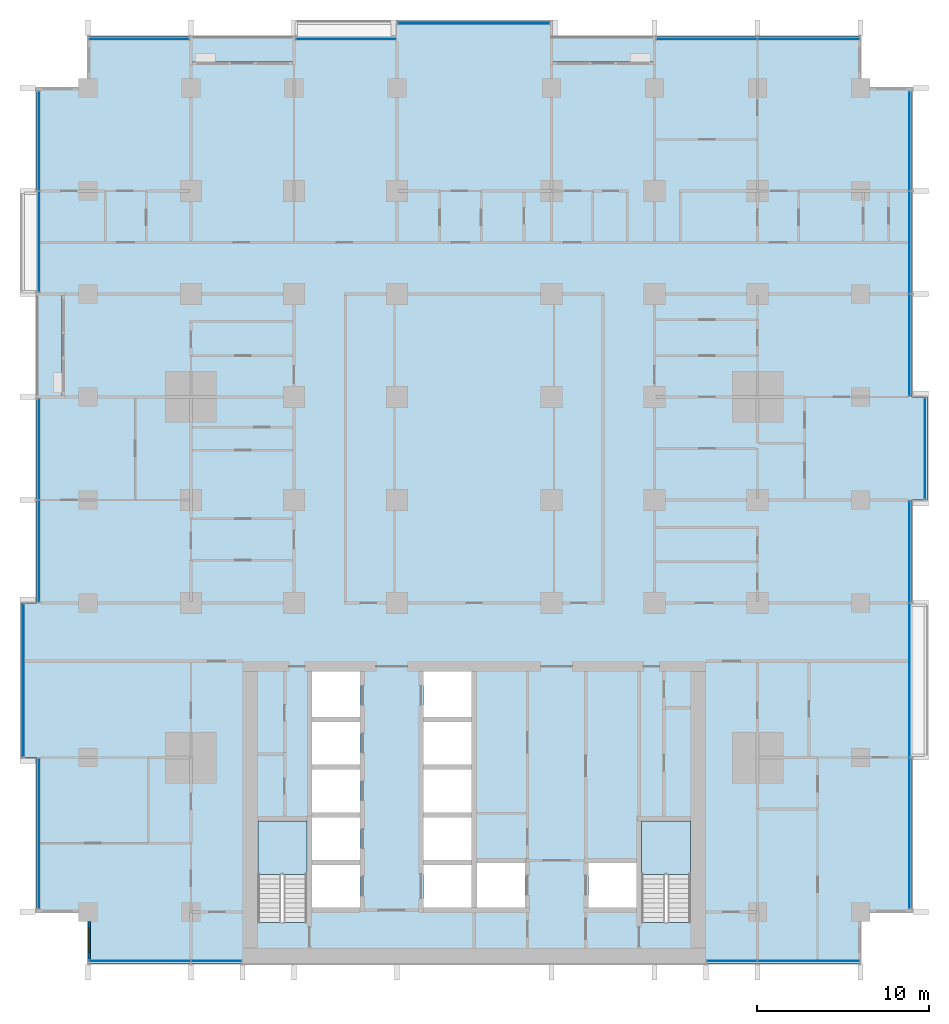
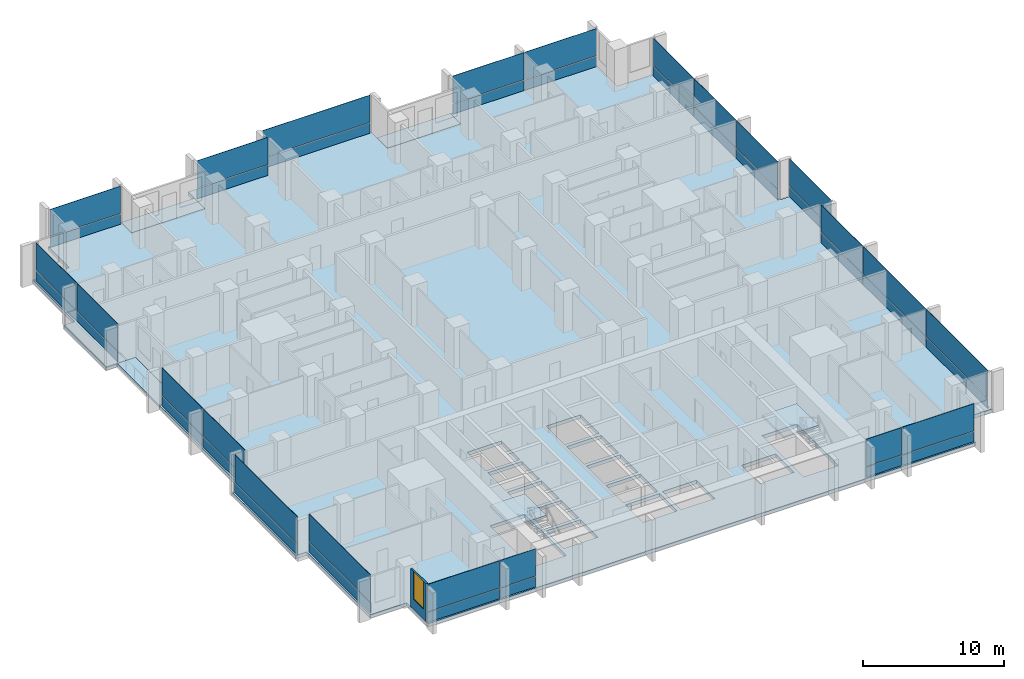
# One storey, part 6 of 18: 44 plates, 6 slabs, 1 wall, 1 window, 1 opening, 15 elements without a shape of their own.
"""IFC4 building model written with IfcOpenShell, lengths in metres."""

from ifc_helpers import new_model, si_unit, direction, frame, frame_2d, origin, origin_2d, place, context, subcontext, project, spatial, polyline, rectangle, outline, extrude, material, layer, layer_set, type_object, element, fill, aggregate, save


model = new_model("IFC4")

# Units and contexts
model_context = context("Model", 3, precision=1e-05, world=origin(), true_north=direction((0.0, 1.0)))
body_context = subcontext(model_context, "Body", "Model", "MODEL_VIEW")
ifc_project = project(units=[si_unit("LENGTHUNIT", "METRE"), si_unit("AREAUNIT", "SQUARE_METRE"), si_unit("VOLUMEUNIT", "CUBIC_METRE"), si_unit("PLANEANGLEUNIT", "RADIAN"), si_unit("MASSUNIT", "GRAM", prefix="KILO")], contexts=[model_context])

# Site, building, storey
site_placement = place(None, origin())
site = spatial("IfcSite", under=ifc_project, at=site_placement, CompositionType="ELEMENT")
building_placement = place(site_placement, origin())
building = spatial("IfcBuilding", under=site, at=building_placement, Name="Finial Court Residences", CompositionType="ELEMENT")
storey_placement = place(building_placement, frame((0.0, 0.0, 39.699951171875)))
storey = spatial("IfcBuildingStorey", under=building, at=storey_placement, Name="L08", CompositionType="ELEMENT", Elevation=39.699951171875)

# Slabs
ifc_material_1 = material(Name="Concrete C35/45", Category="concrete")
ifc_layer_1 = layer(ifc_material_1, 0.199951171875)
ifc_layer_set_1 = layer_set([ifc_layer_1], Name="Balcony slab, Concrete C35/45 200")
slab_type_1 = type_object("IfcSlabType", Name="Balcony slab, Concrete C35/45 200", PredefinedType="FLOOR", material=ifc_layer_set_1)
slab_1_placement = place(storey_placement, frame((0.0, 0.0, -0.199951171875)))
element("IfcSlab", 1, at=slab_1_placement, inside=storey, type_object=slab_type_1, Name="Balcony L08-N2", PredefinedType="FLOOR", context=body_context, shape_type="SweptSolid", body=[
    extrude(outline(polyline([(-10.5, 27.0), (-10.5, 28.5), (-16.5, 28.5), (-16.5, 27.0), (-10.5, 27.0)])), origin(), (0.0, 0.0, 1.0), 0.199951171875),
])
slab_2_placement = place(storey_placement, frame((0.0, 0.0, -0.199951171875)))
element("IfcSlab", 2, at=slab_2_placement, inside=storey, type_object=slab_type_1, Name="Balcony L08-N5", PredefinedType="FLOOR", context=body_context, shape_type="SweptSolid", body=[
    extrude(outline(polyline([(10.5, 27.0), (10.5, 28.5), (4.5, 28.5), (4.5, 27.0), (10.5, 27.0)])), origin(), (0.0, 0.0, 1.0), 0.199951171875),
])
slab_3_placement = place(storey_placement, frame((0.0, 0.0, -0.199951171875)))
element("IfcSlab", 3, at=slab_3_placement, inside=storey, type_object=slab_type_1, Name="Balcony L08-W5", PredefinedType="FLOOR", context=body_context, shape_type="SweptSolid", body=[
    extrude(outline(polyline([(-24.0, 7.5), (-24.0, 13.5), (-25.5, 13.5), (-25.5, 7.5), (-24.0, 7.5)])), origin(), (0.0, 0.0, 1.0), 0.199951171875),
])

# Curtain wall, plate
ifc_material_2 = material(Name="Bronze anodised aluminium", Category="aluminium")
curtain_wall_type = type_object("IfcCurtainWallType", Name="Unitised curtain wall, lower and middle zones", PredefinedType="NOTDEFINED", material=ifc_material_2)
curtain_wall_1_placement = place(storey_placement, origin())
curtain_wall_1 = element("IfcCurtainWall", 4, at=curtain_wall_1_placement, inside=storey, type_object=curtain_wall_type, Name="E-L08-CW-N1", PredefinedType="NOTDEFINED")
ifc_layer_2 = layer(ifc_material_2, 0.0400390625)
ifc_layer_set_2 = layer_set([ifc_layer_2], Name="CW1 spandrel panel 40")
plate_type_1 = type_object("IfcPlateType", Name="CW1 spandrel panel 40", PredefinedType="CURTAIN_PANEL", material=ifc_layer_set_2)
plate_1_placement = place(storey_placement, frame((-19.53759765625, 28.35009765625, 0.0), z_axis=(0.0, 0.0, 1.0), x_axis=(1.0, 0.0, 0.0)))
plate_1 = element("IfcPlate", 5, at=plate_1_placement, type_object=plate_type_1, Name="CW1 spandrel 1.1", PredefinedType="CURTAIN_PANEL", context=body_context, shape_type="SweptSolid", body=[
    extrude(rectangle(XDim=5.794921875, YDim=0.0400390625, at=origin_2d()), origin(), (0.0, 0.0, 1.0), 0.867431640625),
])

curtain_wall_2_placement = place(storey_placement, origin())
curtain_wall_2 = element("IfcCurtainWall", 6, at=curtain_wall_2_placement, inside=storey, type_object=curtain_wall_type, Name="E-L08-CW-N2", PredefinedType="NOTDEFINED")
plate_2_placement = place(storey_placement, frame((-7.46240234375, 28.35009765625, 0.0), z_axis=(0.0, 0.0, 1.0), x_axis=(1.0, 0.0, 0.0)))
plate_2 = element("IfcPlate", 7, at=plate_2_placement, type_object=plate_type_1, Name="CW1 spandrel 1.1", PredefinedType="CURTAIN_PANEL", context=body_context, shape_type="SweptSolid", body=[
    extrude(rectangle(XDim=5.794921875, YDim=0.0400390625, at=origin_2d()), origin(), (0.0, 0.0, 1.0), 0.867431640625),
])

curtain_wall_3_placement = place(storey_placement, origin())
curtain_wall_3 = element("IfcCurtainWall", 8, at=curtain_wall_3_placement, inside=storey, type_object=curtain_wall_type, Name="E-L08-CW-N3", PredefinedType="NOTDEFINED")
plate_3_placement = place(storey_placement, frame((-0.03759765625, 29.25, 0.0), z_axis=(0.0, 0.0, 1.0), x_axis=(1.0, 0.0, 0.0)))
plate_3 = element("IfcPlate", 9, at=plate_3_placement, type_object=plate_type_1, Name="CW1 spandrel 1.1", PredefinedType="CURTAIN_PANEL", context=body_context, shape_type="SweptSolid", body=[
    extrude(rectangle(XDim=8.794921875, YDim=0.0400390625, at=origin_2d()), origin(), (0.0, 0.0, 1.0), 0.867431640625),
])

# Curtain wall, plates
curtain_wall_4_placement = place(storey_placement, origin())
curtain_wall_4 = element("IfcCurtainWall", 10, at=curtain_wall_4_placement, inside=storey, type_object=curtain_wall_type, Name="E-L08-CW-N4", PredefinedType="NOTDEFINED")
plate_4_placement = place(storey_placement, frame((13.5537109375, 28.35009765625, 0.0), z_axis=(0.0, 0.0, 1.0), x_axis=(1.0, 0.0, 0.0)))
plate_4 = element("IfcPlate", 11, at=plate_4_placement, type_object=plate_type_1, Name="CW1 spandrel 1.1", PredefinedType="CURTAIN_PANEL", context=body_context, shape_type="SweptSolid", body=[
    extrude(rectangle(XDim=5.827392578125, YDim=0.0400390625, at=origin_2d()), origin(), (0.0, 0.0, 1.0), 0.867431640625),
])
plate_5_placement = place(storey_placement, frame((19.48388671875, 28.35009765625, 0.0), z_axis=(0.0, 0.0, 1.0), x_axis=(1.0, 0.0, 0.0)))
plate_5 = element("IfcPlate", 12, at=plate_5_placement, type_object=plate_type_1, Name="CW1 spandrel 2.1", PredefinedType="CURTAIN_PANEL", context=body_context, shape_type="SweptSolid", body=[
    extrude(rectangle(XDim=5.902587890625, YDim=0.0400390625, at=origin_2d()), origin(), (0.0, 0.0, 1.0), 0.867431640625),
])

curtain_wall_5_placement = place(storey_placement, origin())
curtain_wall_5 = element("IfcCurtainWall", 13, at=curtain_wall_5_placement, inside=storey, type_object=curtain_wall_type, Name="E-L08-CW-E5", PredefinedType="NOTDEFINED")
plate_6_placement = place(storey_placement, frame((25.35009765625, -17.90869140625, 0.0), z_axis=(0.0, 0.0, 1.0), x_axis=(0.0, 1.0, 0.0)))
plate_6 = element("IfcPlate", 14, at=plate_6_placement, type_object=plate_type_1, Name="CW1 spandrel 1.1", PredefinedType="CURTAIN_PANEL", context=body_context, shape_type="SweptSolid", body=[
    extrude(rectangle(XDim=8.75244140625, YDim=0.0400390625, at=origin_2d()), origin(), (0.0, 0.0, 1.0), 0.867431640625),
])
plate_7_placement = place(storey_placement, frame((25.35009765625, -9.0, 0.0), z_axis=(0.0, 0.0, 1.0), x_axis=(0.0, 1.0, 0.0)))
plate_7 = element("IfcPlate", 15, at=plate_7_placement, type_object=plate_type_1, Name="CW1 spandrel 2.1", PredefinedType="CURTAIN_PANEL", context=body_context, shape_type="SweptSolid", body=[
    extrude(rectangle(XDim=8.93505859375, YDim=0.0400390625, at=origin_2d()), origin(), (0.0, 0.0, 1.0), 0.867431640625),
])
plate_8_placement = place(storey_placement, frame((25.35009765625, -1.516357421875, 0.0), z_axis=(0.0, 0.0, 1.0), x_axis=(0.0, 1.0, 0.0)))
plate_8 = element("IfcPlate", 16, at=plate_8_placement, type_object=plate_type_1, Name="CW1 spandrel 3.1", PredefinedType="CURTAIN_PANEL", context=body_context, shape_type="SweptSolid", body=[
    extrude(rectangle(XDim=5.902587890625, YDim=0.0400390625, at=origin_2d()), origin(), (0.0, 0.0, 1.0), 0.867431640625),
])

# Curtain wall, plate
curtain_wall_6_placement = place(storey_placement, origin())
curtain_wall_6 = element("IfcCurtainWall", 17, at=curtain_wall_6_placement, inside=storey, type_object=curtain_wall_type, Name="E-L08-CW-E6", PredefinedType="NOTDEFINED")
plate_9_placement = place(storey_placement, frame((26.25, 4.5, 0.0), z_axis=(0.0, 0.0, 1.0), x_axis=(0.0, 1.0, 0.0)))
plate_9 = element("IfcPlate", 18, at=plate_9_placement, type_object=plate_type_1, Name="CW1 spandrel 1.1", PredefinedType="CURTAIN_PANEL", context=body_context, shape_type="SweptSolid", body=[
    extrude(rectangle(XDim=5.8701171875, YDim=0.0400390625, at=origin_2d()), origin(), (0.0, 0.0, 1.0), 0.867431640625),
])

# Curtain wall, plates
curtain_wall_7_placement = place(storey_placement, origin())
curtain_wall_7 = element("IfcCurtainWall", 19, at=curtain_wall_7_placement, inside=storey, type_object=curtain_wall_type, Name="E-L08-CW-E7", PredefinedType="NOTDEFINED")
plate_10_placement = place(storey_placement, frame((25.35009765625, 10.51611328125, 0.0), z_axis=(0.0, 0.0, 1.0), x_axis=(0.0, 1.0, 0.0)))
plate_10 = element("IfcPlate", 20, at=plate_10_placement, type_object=plate_type_1, Name="CW1 spandrel 1.1", PredefinedType="CURTAIN_PANEL", context=body_context, shape_type="SweptSolid", body=[
    extrude(rectangle(XDim=5.902587890625, YDim=0.0400390625, at=origin_2d()), origin(), (0.0, 0.0, 1.0), 0.867431640625),
])
plate_11_placement = place(storey_placement, frame((25.35009765625, 16.5, 0.0), z_axis=(0.0, 0.0, 1.0), x_axis=(0.0, 1.0, 0.0)))
plate_11 = element("IfcPlate", 21, at=plate_11_placement, type_object=plate_type_1, Name="CW1 spandrel 2.1", PredefinedType="CURTAIN_PANEL", context=body_context, shape_type="SweptSolid", body=[
    extrude(rectangle(XDim=5.93505859375, YDim=0.0400390625, at=origin_2d()), origin(), (0.0, 0.0, 1.0), 0.867431640625),
])
plate_12_placement = place(storey_placement, frame((25.35009765625, 22.40869140625, 0.0), z_axis=(0.0, 0.0, 1.0), x_axis=(0.0, 1.0, 0.0)))
plate_12 = element("IfcPlate", 22, at=plate_12_placement, type_object=plate_type_1, Name="CW1 spandrel 3.1", PredefinedType="CURTAIN_PANEL", context=body_context, shape_type="SweptSolid", body=[
    extrude(rectangle(XDim=5.75244140625, YDim=0.0400390625, at=origin_2d()), origin(), (0.0, 0.0, 1.0), 0.867431640625),
])

curtain_wall_8_placement = place(storey_placement, origin())
curtain_wall_8 = element("IfcCurtainWall", 23, at=curtain_wall_8_placement, inside=storey, type_object=curtain_wall_type, Name="E-L08-CW-S8", PredefinedType="NOTDEFINED")
plate_13_placement = place(storey_placement, frame((-19.48388671875, -25.35009765625, 0.0), z_axis=(0.0, 0.0, 1.0), x_axis=(1.0, 0.0, 0.0)))
plate_13 = element("IfcPlate", 24, at=plate_13_placement, type_object=plate_type_1, Name="CW1 spandrel 1.1", PredefinedType="CURTAIN_PANEL", context=body_context, shape_type="SweptSolid", body=[
    extrude(rectangle(XDim=5.902587890625, YDim=0.0400390625, at=origin_2d()), origin(), (0.0, 0.0, 1.0), 0.867431640625),
])
plate_14_placement = place(storey_placement, frame((-15.016357421875, -25.35009765625, 0.0), z_axis=(0.0, 0.0, 1.0), x_axis=(1.0, 0.0, 0.0)))
plate_14 = element("IfcPlate", 25, at=plate_14_placement, type_object=plate_type_1, Name="CW1 spandrel 2.1", PredefinedType="CURTAIN_PANEL", context=body_context, shape_type="SweptSolid", body=[
    extrude(rectangle(XDim=2.902587890625, YDim=0.0400390625, at=origin_2d()), origin(), (0.0, 0.0, 1.0), 0.867431640625),
])

curtain_wall_9_placement = place(storey_placement, origin())
curtain_wall_9 = element("IfcCurtainWall", 26, at=curtain_wall_9_placement, inside=storey, type_object=curtain_wall_type, Name="E-L08-CW-S9", PredefinedType="NOTDEFINED")
plate_15_placement = place(storey_placement, frame((15.016357421875, -25.35009765625, 0.0), z_axis=(0.0, 0.0, 1.0), x_axis=(1.0, 0.0, 0.0)))
plate_15 = element("IfcPlate", 27, at=plate_15_placement, type_object=plate_type_1, Name="CW1 spandrel 1.1", PredefinedType="CURTAIN_PANEL", context=body_context, shape_type="SweptSolid", body=[
    extrude(rectangle(XDim=2.902587890625, YDim=0.0400390625, at=origin_2d()), origin(), (0.0, 0.0, 1.0), 0.867431640625),
])
plate_16_placement = place(storey_placement, frame((19.48388671875, -25.35009765625, 0.0), z_axis=(0.0, 0.0, 1.0), x_axis=(1.0, 0.0, 0.0)))
plate_16 = element("IfcPlate", 28, at=plate_16_placement, type_object=plate_type_1, Name="CW1 spandrel 2.1", PredefinedType="CURTAIN_PANEL", context=body_context, shape_type="SweptSolid", body=[
    extrude(rectangle(XDim=5.902587890625, YDim=0.0400390625, at=origin_2d()), origin(), (0.0, 0.0, 1.0), 0.867431640625),
])

# Curtain wall, plate
curtain_wall_10_placement = place(storey_placement, origin())
curtain_wall_10 = element("IfcCurtainWall", 29, at=curtain_wall_10_placement, inside=storey, type_object=curtain_wall_type, Name="E-L08-CW-W10", PredefinedType="NOTDEFINED")
plate_17_placement = place(storey_placement, frame((-25.35009765625, -17.925048828125, 0.0), z_axis=(0.0, 0.0, 1.0), x_axis=(0.0, 1.0, 0.0)))
plate_17 = element("IfcPlate", 30, at=plate_17_placement, type_object=plate_type_1, Name="CW1 spandrel 1.1", PredefinedType="CURTAIN_PANEL", context=body_context, shape_type="SweptSolid", body=[
    extrude(rectangle(XDim=8.719970703125, YDim=0.0400390625, at=origin_2d()), origin(), (0.0, 0.0, 1.0), 0.867431640625),
])

curtain_wall_11_placement = place(storey_placement, origin())
curtain_wall_11 = element("IfcCurtainWall", 31, at=curtain_wall_11_placement, inside=storey, type_object=curtain_wall_type, Name="E-L08-CW-W11", PredefinedType="NOTDEFINED")
plate_18_placement = place(storey_placement, frame((-26.25, -9.0, 0.0), z_axis=(0.0, 0.0, 1.0), x_axis=(0.0, 1.0, 0.0)))
plate_18 = element("IfcPlate", 32, at=plate_18_placement, type_object=plate_type_1, Name="CW1 spandrel 1.1", PredefinedType="CURTAIN_PANEL", context=body_context, shape_type="SweptSolid", body=[
    extrude(rectangle(XDim=8.8701171875, YDim=0.0400390625, at=origin_2d()), origin(), (0.0, 0.0, 1.0), 0.867431640625),
])

# Curtain wall, plates
curtain_wall_12_placement = place(storey_placement, origin())
curtain_wall_12 = element("IfcCurtainWall", 33, at=curtain_wall_12_placement, inside=storey, type_object=curtain_wall_type, Name="E-L08-CW-W12", PredefinedType="NOTDEFINED")
plate_19_placement = place(storey_placement, frame((-25.35009765625, -1.48388671875, 0.0), z_axis=(0.0, 0.0, 1.0), x_axis=(0.0, 1.0, 0.0)))
plate_19 = element("IfcPlate", 34, at=plate_19_placement, type_object=plate_type_1, Name="CW1 spandrel 1.1", PredefinedType="CURTAIN_PANEL", context=body_context, shape_type="SweptSolid", body=[
    extrude(rectangle(XDim=5.902587890625, YDim=0.0400390625, at=origin_2d()), origin(), (0.0, 0.0, 1.0), 0.867431640625),
])
plate_20_placement = place(storey_placement, frame((-25.35009765625, 4.4462890625, 0.0), z_axis=(0.0, 0.0, 1.0), x_axis=(0.0, 1.0, 0.0)))
plate_20 = element("IfcPlate", 35, at=plate_20_placement, type_object=plate_type_1, Name="CW1 spandrel 2.1", PredefinedType="CURTAIN_PANEL", context=body_context, shape_type="SweptSolid", body=[
    extrude(rectangle(XDim=5.827392578125, YDim=0.0400390625, at=origin_2d()), origin(), (0.0, 0.0, 1.0), 0.867431640625),
])

curtain_wall_13_placement = place(storey_placement, origin())
curtain_wall_13 = element("IfcCurtainWall", 36, at=curtain_wall_13_placement, inside=storey, type_object=curtain_wall_type, Name="E-L08-CW-W13", PredefinedType="NOTDEFINED")
plate_21_placement = place(storey_placement, frame((-25.35009765625, 16.5537109375, 0.0), z_axis=(0.0, 0.0, 1.0), x_axis=(0.0, 1.0, 0.0)))
plate_21 = element("IfcPlate", 37, at=plate_21_placement, type_object=plate_type_1, Name="CW1 spandrel 1.1", PredefinedType="CURTAIN_PANEL", context=body_context, shape_type="SweptSolid", body=[
    extrude(rectangle(XDim=5.827392578125, YDim=0.0400390625, at=origin_2d()), origin(), (0.0, 0.0, 1.0), 0.867431640625),
])
plate_22_placement = place(storey_placement, frame((-25.35009765625, 22.40869140625, 0.0), z_axis=(0.0, 0.0, 1.0), x_axis=(0.0, 1.0, 0.0)))
plate_22 = element("IfcPlate", 38, at=plate_22_placement, type_object=plate_type_1, Name="CW1 spandrel 2.1", PredefinedType="CURTAIN_PANEL", context=body_context, shape_type="SweptSolid", body=[
    extrude(rectangle(XDim=5.75244140625, YDim=0.0400390625, at=origin_2d()), origin(), (0.0, 0.0, 1.0), 0.867431640625),
])

# Plate
ifc_material_3 = material(Name="Clear low-e glass", Category="glass")
ifc_layer_3 = layer(ifc_material_3, 0.031982421875)
ifc_layer_set_3 = layer_set([ifc_layer_3], Name="CW1 vision glass 32")
plate_type_2 = type_object("IfcPlateType", Name="CW1 vision glass 32", PredefinedType="CURTAIN_PANEL", material=ifc_layer_set_3)
plate_23_placement = place(storey_placement, frame((-19.53759765625, 28.35009765625, 0.9326171875), z_axis=(0.0, 0.0, 1.0), x_axis=(1.0, 0.0, 0.0)))
plate_23 = element("IfcPlate", 39, at=plate_23_placement, type_object=plate_type_2, Name="CW1 glass 1.2", PredefinedType="CURTAIN_PANEL", context=body_context, shape_type="SweptSolid", body=[
    extrude(rectangle(XDim=5.794921875, YDim=0.031982421875, at=origin_2d()), origin(), (0.0, 0.0, 1.0), 2.367431640625),
])

aggregate(curtain_wall_1, [plate_1, plate_23])

plate_24_placement = place(storey_placement, frame((-7.46240234375, 28.35009765625, 0.9326171875), z_axis=(0.0, 0.0, 1.0), x_axis=(1.0, 0.0, 0.0)))
plate_24 = element("IfcPlate", 40, at=plate_24_placement, type_object=plate_type_2, Name="CW1 glass 1.2", PredefinedType="CURTAIN_PANEL", context=body_context, shape_type="SweptSolid", body=[
    extrude(rectangle(XDim=5.794921875, YDim=0.031982421875, at=origin_2d()), origin(), (0.0, 0.0, 1.0), 2.367431640625),
])

aggregate(curtain_wall_2, [plate_2, plate_24])

plate_25_placement = place(storey_placement, frame((-0.03759765625, 29.25, 0.9326171875), z_axis=(0.0, 0.0, 1.0), x_axis=(1.0, 0.0, 0.0)))
plate_25 = element("IfcPlate", 41, at=plate_25_placement, type_object=plate_type_2, Name="CW1 glass 1.2", PredefinedType="CURTAIN_PANEL", context=body_context, shape_type="SweptSolid", body=[
    extrude(rectangle(XDim=8.794921875, YDim=0.031982421875, at=origin_2d()), origin(), (0.0, 0.0, 1.0), 2.367431640625),
])

aggregate(curtain_wall_3, [plate_3, plate_25])

plate_26_placement = place(storey_placement, frame((13.5537109375, 28.35009765625, 0.9326171875), z_axis=(0.0, 0.0, 1.0), x_axis=(1.0, 0.0, 0.0)))
plate_26 = element("IfcPlate", 42, at=plate_26_placement, type_object=plate_type_2, Name="CW1 glass 1.2", PredefinedType="CURTAIN_PANEL", context=body_context, shape_type="SweptSolid", body=[
    extrude(rectangle(XDim=5.827392578125, YDim=0.031982421875, at=origin_2d()), origin(), (0.0, 0.0, 1.0), 2.367431640625),
])

plate_27_placement = place(storey_placement, frame((19.48388671875, 28.35009765625, 0.9326171875), z_axis=(0.0, 0.0, 1.0), x_axis=(1.0, 0.0, 0.0)))
plate_27 = element("IfcPlate", 43, at=plate_27_placement, type_object=plate_type_2, Name="CW1 glass 2.2", PredefinedType="CURTAIN_PANEL", context=body_context, shape_type="SweptSolid", body=[
    extrude(rectangle(XDim=5.902587890625, YDim=0.031982421875, at=origin_2d()), origin(), (0.0, 0.0, 1.0), 2.367431640625),
])

aggregate(curtain_wall_4, [plate_4, plate_26, plate_5, plate_27])

plate_28_placement = place(storey_placement, frame((25.35009765625, -17.90869140625, 0.9326171875), z_axis=(0.0, 0.0, 1.0), x_axis=(0.0, 1.0, 0.0)))
plate_28 = element("IfcPlate", 44, at=plate_28_placement, type_object=plate_type_2, Name="CW1 glass 1.2", PredefinedType="CURTAIN_PANEL", context=body_context, shape_type="SweptSolid", body=[
    extrude(rectangle(XDim=8.75244140625, YDim=0.031982421875, at=origin_2d()), origin(), (0.0, 0.0, 1.0), 2.367431640625),
])

plate_29_placement = place(storey_placement, frame((25.35009765625, -9.0, 0.9326171875), z_axis=(0.0, 0.0, 1.0), x_axis=(0.0, 1.0, 0.0)))
plate_29 = element("IfcPlate", 45, at=plate_29_placement, type_object=plate_type_2, Name="CW1 glass 2.2", PredefinedType="CURTAIN_PANEL", context=body_context, shape_type="SweptSolid", body=[
    extrude(rectangle(XDim=8.93505859375, YDim=0.031982421875, at=origin_2d()), origin(), (0.0, 0.0, 1.0), 2.367431640625),
])

plate_30_placement = place(storey_placement, frame((25.35009765625, -1.516357421875, 0.9326171875), z_axis=(0.0, 0.0, 1.0), x_axis=(0.0, 1.0, 0.0)))
plate_30 = element("IfcPlate", 46, at=plate_30_placement, type_object=plate_type_2, Name="CW1 glass 3.2", PredefinedType="CURTAIN_PANEL", context=body_context, shape_type="SweptSolid", body=[
    extrude(rectangle(XDim=5.902587890625, YDim=0.031982421875, at=origin_2d()), origin(), (0.0, 0.0, 1.0), 2.367431640625),
])

aggregate(curtain_wall_5, [plate_6, plate_28, plate_7, plate_29, plate_8, plate_30])

plate_31_placement = place(storey_placement, frame((26.25, 4.5, 0.9326171875), z_axis=(0.0, 0.0, 1.0), x_axis=(0.0, 1.0, 0.0)))
plate_31 = element("IfcPlate", 47, at=plate_31_placement, type_object=plate_type_2, Name="CW1 glass 1.2", PredefinedType="CURTAIN_PANEL", context=body_context, shape_type="SweptSolid", body=[
    extrude(rectangle(XDim=5.8701171875, YDim=0.031982421875, at=origin_2d()), origin(), (0.0, 0.0, 1.0), 2.367431640625),
])

aggregate(curtain_wall_6, [plate_9, plate_31])

plate_32_placement = place(storey_placement, frame((25.35009765625, 10.51611328125, 0.9326171875), z_axis=(0.0, 0.0, 1.0), x_axis=(0.0, 1.0, 0.0)))
plate_32 = element("IfcPlate", 48, at=plate_32_placement, type_object=plate_type_2, Name="CW1 glass 1.2", PredefinedType="CURTAIN_PANEL", context=body_context, shape_type="SweptSolid", body=[
    extrude(rectangle(XDim=5.902587890625, YDim=0.031982421875, at=origin_2d()), origin(), (0.0, 0.0, 1.0), 2.367431640625),
])

plate_33_placement = place(storey_placement, frame((25.35009765625, 16.5, 0.9326171875), z_axis=(0.0, 0.0, 1.0), x_axis=(0.0, 1.0, 0.0)))
plate_33 = element("IfcPlate", 49, at=plate_33_placement, type_object=plate_type_2, Name="CW1 glass 2.2", PredefinedType="CURTAIN_PANEL", context=body_context, shape_type="SweptSolid", body=[
    extrude(rectangle(XDim=5.93505859375, YDim=0.031982421875, at=origin_2d()), origin(), (0.0, 0.0, 1.0), 2.367431640625),
])

plate_34_placement = place(storey_placement, frame((25.35009765625, 22.40869140625, 0.9326171875), z_axis=(0.0, 0.0, 1.0), x_axis=(0.0, 1.0, 0.0)))
plate_34 = element("IfcPlate", 50, at=plate_34_placement, type_object=plate_type_2, Name="CW1 glass 3.2", PredefinedType="CURTAIN_PANEL", context=body_context, shape_type="SweptSolid", body=[
    extrude(rectangle(XDim=5.75244140625, YDim=0.031982421875, at=origin_2d()), origin(), (0.0, 0.0, 1.0), 2.367431640625),
])

aggregate(curtain_wall_7, [plate_10, plate_32, plate_11, plate_33, plate_12, plate_34])

plate_35_placement = place(storey_placement, frame((-19.48388671875, -25.35009765625, 0.9326171875), z_axis=(0.0, 0.0, 1.0), x_axis=(1.0, 0.0, 0.0)))
plate_35 = element("IfcPlate", 51, at=plate_35_placement, type_object=plate_type_2, Name="CW1 glass 1.2", PredefinedType="CURTAIN_PANEL", context=body_context, shape_type="SweptSolid", body=[
    extrude(rectangle(XDim=5.902587890625, YDim=0.031982421875, at=origin_2d()), origin(), (0.0, 0.0, 1.0), 2.367431640625),
])

plate_36_placement = place(storey_placement, frame((-15.016357421875, -25.35009765625, 0.9326171875), z_axis=(0.0, 0.0, 1.0), x_axis=(1.0, 0.0, 0.0)))
plate_36 = element("IfcPlate", 52, at=plate_36_placement, type_object=plate_type_2, Name="CW1 glass 2.2", PredefinedType="CURTAIN_PANEL", context=body_context, shape_type="SweptSolid", body=[
    extrude(rectangle(XDim=2.902587890625, YDim=0.031982421875, at=origin_2d()), origin(), (0.0, 0.0, 1.0), 2.367431640625),
])

aggregate(curtain_wall_8, [plate_13, plate_35, plate_14, plate_36])

plate_37_placement = place(storey_placement, frame((15.016357421875, -25.35009765625, 0.9326171875), z_axis=(0.0, 0.0, 1.0), x_axis=(1.0, 0.0, 0.0)))
plate_37 = element("IfcPlate", 53, at=plate_37_placement, type_object=plate_type_2, Name="CW1 glass 1.2", PredefinedType="CURTAIN_PANEL", context=body_context, shape_type="SweptSolid", body=[
    extrude(rectangle(XDim=2.902587890625, YDim=0.031982421875, at=origin_2d()), origin(), (0.0, 0.0, 1.0), 2.367431640625),
])

plate_38_placement = place(storey_placement, frame((19.48388671875, -25.35009765625, 0.9326171875), z_axis=(0.0, 0.0, 1.0), x_axis=(1.0, 0.0, 0.0)))
plate_38 = element("IfcPlate", 54, at=plate_38_placement, type_object=plate_type_2, Name="CW1 glass 2.2", PredefinedType="CURTAIN_PANEL", context=body_context, shape_type="SweptSolid", body=[
    extrude(rectangle(XDim=5.902587890625, YDim=0.031982421875, at=origin_2d()), origin(), (0.0, 0.0, 1.0), 2.367431640625),
])

aggregate(curtain_wall_9, [plate_15, plate_37, plate_16, plate_38])

plate_39_placement = place(storey_placement, frame((-25.35009765625, -17.925048828125, 0.9326171875), z_axis=(0.0, 0.0, 1.0), x_axis=(0.0, 1.0, 0.0)))
plate_39 = element("IfcPlate", 55, at=plate_39_placement, type_object=plate_type_2, Name="CW1 glass 1.2", PredefinedType="CURTAIN_PANEL", context=body_context, shape_type="SweptSolid", body=[
    extrude(rectangle(XDim=8.719970703125, YDim=0.031982421875, at=origin_2d()), origin(), (0.0, 0.0, 1.0), 2.367431640625),
])

aggregate(curtain_wall_10, [plate_17, plate_39])

plate_40_placement = place(storey_placement, frame((-26.25, -9.0, 0.9326171875), z_axis=(0.0, 0.0, 1.0), x_axis=(0.0, 1.0, 0.0)))
plate_40 = element("IfcPlate", 56, at=plate_40_placement, type_object=plate_type_2, Name="CW1 glass 1.2", PredefinedType="CURTAIN_PANEL", context=body_context, shape_type="SweptSolid", body=[
    extrude(rectangle(XDim=8.8701171875, YDim=0.031982421875, at=origin_2d()), origin(), (0.0, 0.0, 1.0), 2.367431640625),
])

aggregate(curtain_wall_11, [plate_18, plate_40])

plate_41_placement = place(storey_placement, frame((-25.35009765625, -1.48388671875, 0.9326171875), z_axis=(0.0, 0.0, 1.0), x_axis=(0.0, 1.0, 0.0)))
plate_41 = element("IfcPlate", 57, at=plate_41_placement, type_object=plate_type_2, Name="CW1 glass 1.2", PredefinedType="CURTAIN_PANEL", context=body_context, shape_type="SweptSolid", body=[
    extrude(rectangle(XDim=5.902587890625, YDim=0.031982421875, at=origin_2d()), origin(), (0.0, 0.0, 1.0), 2.367431640625),
])

plate_42_placement = place(storey_placement, frame((-25.35009765625, 4.4462890625, 0.9326171875), z_axis=(0.0, 0.0, 1.0), x_axis=(0.0, 1.0, 0.0)))
plate_42 = element("IfcPlate", 58, at=plate_42_placement, type_object=plate_type_2, Name="CW1 glass 2.2", PredefinedType="CURTAIN_PANEL", context=body_context, shape_type="SweptSolid", body=[
    extrude(rectangle(XDim=5.827392578125, YDim=0.031982421875, at=origin_2d()), origin(), (0.0, 0.0, 1.0), 2.367431640625),
])

aggregate(curtain_wall_12, [plate_19, plate_41, plate_20, plate_42])

plate_43_placement = place(storey_placement, frame((-25.35009765625, 16.5537109375, 0.9326171875), z_axis=(0.0, 0.0, 1.0), x_axis=(0.0, 1.0, 0.0)))
plate_43 = element("IfcPlate", 59, at=plate_43_placement, type_object=plate_type_2, Name="CW1 glass 1.2", PredefinedType="CURTAIN_PANEL", context=body_context, shape_type="SweptSolid", body=[
    extrude(rectangle(XDim=5.827392578125, YDim=0.031982421875, at=origin_2d()), origin(), (0.0, 0.0, 1.0), 2.367431640625),
])

plate_44_placement = place(storey_placement, frame((-25.35009765625, 22.40869140625, 0.9326171875), z_axis=(0.0, 0.0, 1.0), x_axis=(0.0, 1.0, 0.0)))
plate_44 = element("IfcPlate", 60, at=plate_44_placement, type_object=plate_type_2, Name="CW1 glass 2.2", PredefinedType="CURTAIN_PANEL", context=body_context, shape_type="SweptSolid", body=[
    extrude(rectangle(XDim=5.75244140625, YDim=0.031982421875, at=origin_2d()), origin(), (0.0, 0.0, 1.0), 2.367431640625),
])

aggregate(curtain_wall_13, [plate_21, plate_43, plate_22, plate_44])

# Stair, slab
ifc_material_4 = material(Name="Concrete C50/60", Category="concrete")
stair_type = type_object("IfcStairType", Name="Exit stair 22 risers of 163.6 mm", PredefinedType="HALF_TURN_STAIR", material=ifc_material_4)
stair_1_placement = place(storey_placement, origin())
stair_1 = element("IfcStair", 61, at=stair_1_placement, inside=storey, type_object=stair_type, Name="L08 Exit stair ST-1", PredefinedType="HALF_TURN_STAIR")
ifc_layer_4 = layer(ifc_material_4, 0.199951171875)
ifc_layer_set_4 = layer_set([ifc_layer_4], Name="Exit stair landing")
slab_type_2 = type_object("IfcSlabType", Name="Exit stair landing", PredefinedType="LANDING", material=ifc_layer_set_4)
slab_4_placement = place(storey_placement, frame((0.0, 0.0, 1.60009765625)))
slab_4 = element("IfcSlab", 62, at=slab_4_placement, type_object=slab_type_2, Name="ST-1 landing 1", PredefinedType="LANDING", context=body_context, shape_type="SweptSolid", body=[
    extrude(outline(polyline([(-9.75, -20.300048828125), (-9.75, -17.199951171875), (-12.60009765625, -17.199951171875), (-12.60009765625, -20.300048828125), (-9.75, -20.300048828125)])), origin(), (0.0, 0.0, 1.0), 0.199951171875),
])
aggregate(stair_1, [slab_4])

stair_2_placement = place(storey_placement, origin())
stair_2 = element("IfcStair", 63, at=stair_2_placement, inside=storey, type_object=stair_type, Name="L08 Exit stair ST-2", PredefinedType="HALF_TURN_STAIR")
slab_5_placement = place(storey_placement, frame((0.0, 0.0, 1.60009765625)))
slab_5 = element("IfcSlab", 64, at=slab_5_placement, type_object=slab_type_2, Name="ST-2 landing 1", PredefinedType="LANDING", context=body_context, shape_type="SweptSolid", body=[
    extrude(outline(polyline([(12.60009765625, -20.300048828125), (12.60009765625, -17.199951171875), (9.75, -17.199951171875), (9.75, -20.300048828125), (12.60009765625, -20.300048828125)])), origin(), (0.0, 0.0, 1.0), 0.199951171875),
])
aggregate(stair_2, [slab_5])

# Slab
ifc_material_5 = material(Name="Concrete C40/50", Category="concrete")
ifc_layer_5 = layer(ifc_material_5, 0.300048828125)
ifc_layer_set_5 = layer_set([ifc_layer_5], Name="Flat plate slab 300 Concrete C40/50")
slab_type_3 = type_object("IfcSlabType", Name="Flat plate slab 300 Concrete C40/50", PredefinedType="FLOOR", material=ifc_layer_set_5)
slab_6_placement = place(storey_placement, frame((0.0, 0.0, -0.300048828125)))
element("IfcSlab", 65, at=slab_6_placement, inside=storey, type_object=slab_type_3, Name="S:SLAB:L08", PredefinedType="FLOOR", context=body_context, shape_type="SweptSolid", body=[
    extrude(outline(polyline([(26.39990234375, -13.5), (25.5, -13.5), (25.5, -22.5), (22.5, -22.5), (22.5, -25.5), (-22.5, -25.5), (-22.5, -22.5), (-25.5, -22.5), (-25.5, -13.5), (-26.39990234375, -13.5), (-26.39990234375, -4.5), (-25.5, -4.5), (-25.5, 7.5), (-24.0, 7.5), (-24.0, 13.5), (-25.5, 13.5), (-26.39990234375, 13.5), (-26.39990234375, 19.5), (-25.5, 19.5), (-25.5, 25.5), (-22.5, 25.5), (-22.5, 28.5), (-16.5, 28.5), (-16.5, 27.0), (-10.5, 27.0), (-10.5, 28.5), (-10.5, 29.39990234375), (-4.5, 29.39990234375), (4.5, 29.39990234375), (4.5, 28.5), (4.5, 27.0), (10.5, 27.0), (10.5, 28.5), (22.5, 28.5), (22.5, 25.5), (25.5, 25.5), (25.5, 7.5), (26.39990234375, 7.5), (26.39990234375, 1.5), (25.5, 1.5), (25.5, -4.5), (26.39990234375, -4.5), (26.39990234375, -13.5)]), holes=[polyline([(-6.64990234375, -19.77001953125), (-9.449951171875, -19.77001953125), (-9.449951171875, -22.25), (-6.64990234375, -22.25), (-6.64990234375, -19.77001953125)]), polyline([(-9.75, -17.199951171875), (-12.60009765625, -17.199951171875), (-12.60009765625, -23.09912109375), (-9.75, -23.09912109375), (-9.75, -17.199951171875)]), polyline([(-6.64990234375, -19.469970703125), (-6.64990234375, -16.989990234375), (-9.449951171875, -16.989990234375), (-9.449951171875, -19.469970703125), (-6.64990234375, -19.469970703125)]), polyline([(-6.64990234375, -16.68994140625), (-6.64990234375, -14.2099609375), (-9.449951171875, -14.2099609375), (-9.449951171875, -16.68994140625), (-6.64990234375, -16.68994140625)]), polyline([(-6.64990234375, -13.909912109375), (-6.64990234375, -11.429931640625), (-9.449951171875, -11.429931640625), (-9.449951171875, -13.909912109375), (-6.64990234375, -13.909912109375)]), polyline([(-6.64990234375, -11.1298828125), (-6.64990234375, -8.5), (-9.449951171875, -8.5), (-9.449951171875, -11.1298828125), (-6.64990234375, -11.1298828125)]), polyline([(-0.14990234375, -11.1298828125), (-0.14990234375, -8.5), (-2.949951171875, -8.5), (-2.949951171875, -11.1298828125), (-0.14990234375, -11.1298828125)]), polyline([(-0.14990234375, -19.77001953125), (-2.949951171875, -19.77001953125), (-2.949951171875, -22.25), (-0.14990234375, -22.25), (-0.14990234375, -19.77001953125)]), polyline([(2.949951171875, -22.25), (2.949951171875, -19.64990234375), (0.14990234375, -19.64990234375), (0.14990234375, -22.25), (2.949951171875, -22.25)]), polyline([(9.449951171875, -22.25), (9.449951171875, -19.64990234375), (6.64990234375, -19.64990234375), (6.64990234375, -22.25), (9.449951171875, -22.25)]), polyline([(12.60009765625, -17.199951171875), (9.75, -17.199951171875), (9.75, -23.09912109375), (12.60009765625, -23.09912109375), (12.60009765625, -17.199951171875)]), polyline([(-0.14990234375, -19.469970703125), (-0.14990234375, -16.989990234375), (-2.949951171875, -16.989990234375), (-2.949951171875, -19.469970703125), (-0.14990234375, -19.469970703125)]), polyline([(-0.14990234375, -16.68994140625), (-0.14990234375, -14.2099609375), (-2.949951171875, -14.2099609375), (-2.949951171875, -16.68994140625), (-0.14990234375, -16.68994140625)]), polyline([(-0.14990234375, -13.909912109375), (-0.14990234375, -11.429931640625), (-2.949951171875, -11.429931640625), (-2.949951171875, -13.909912109375), (-0.14990234375, -13.909912109375)])]), origin(), (0.0, 0.0, 1.0), 0.300048828125),
])

# Wall, opening, window
ifc_material_6 = material(Name="Natural limestone", Category="masonry")
ifc_layer_6 = layer(ifc_material_6, 0.14990234375)
ifc_layer_set_6 = layer_set([ifc_layer_6], Name="Limestone clad wall 150")
wall_type = type_object("IfcWallType", Name="Limestone clad wall 150", PredefinedType="SOLIDWALL", material=ifc_layer_set_6)
wall_placement = place(storey_placement, frame((-22.425048828125, -25.25, 0.0), z_axis=(0.0, 0.0, 1.0), x_axis=(0.0, 1.0, 0.0)))
wall = element("IfcWall", 66, at=wall_placement, inside=storey, type_object=wall_type, Name="E-L08-NWW14", PredefinedType="SOLIDWALL", context=body_context, shape_type="SweptSolid", body=[
    extrude(rectangle(XDim=2.199951171875, YDim=0.14990234375, at=frame_2d((1.10009765625, 0.0))), origin(), (0.0, 0.0, 1.0), 3.300048828125),
])
opening_placement = place(wall_placement, frame((0.39990234375, 0.0, 0.89990234375)))
opening = element("IfcOpeningElement", 67, at=opening_placement, cuts=wall, Name="Opening WE08-01", PredefinedType="OPENING", context=body_context, shape_type="SweptSolid", body=[
    extrude(rectangle(XDim=1.39990234375, YDim=2.39990234375, at=frame_2d((0.699951171875, 1.199951171875))), frame((0.0, 0.0849609375, 0.0), z_axis=(0.0, -1.0, 0.0), x_axis=(1.0, 0.0, 0.0)), (0.0, 0.0, 1.0), 0.169921875),
])
window_type = type_object("IfcWindowType", Name="Corner window 1400 x 2400", PartitioningType="SINGLE_PANEL", PredefinedType="WINDOW", material=ifc_material_3)
window_placement = place(opening_placement, origin())
window = element("IfcWindow", 68, at=window_placement, inside=storey, type_object=window_type, Name="E-L08-NWW14-W1", OverallHeight=2.39990234375, OverallWidth=1.39990234375, PartitioningType="SINGLE_PANEL", PredefinedType="WINDOW", context=body_context, shape_type="SweptSolid", body=[
    extrude(rectangle(XDim=1.39990234375, YDim=2.39990234375, at=frame_2d((0.699951171875, 1.199951171875))), frame((0.0, 0.030029296875, 0.0), z_axis=(0.0, -1.0, 0.0), x_axis=(1.0, 0.0, 0.0)), (0.0, 0.0, 1.0), 0.06005859375),
])
fill(opening, window)

save(model, "model.ifc")
